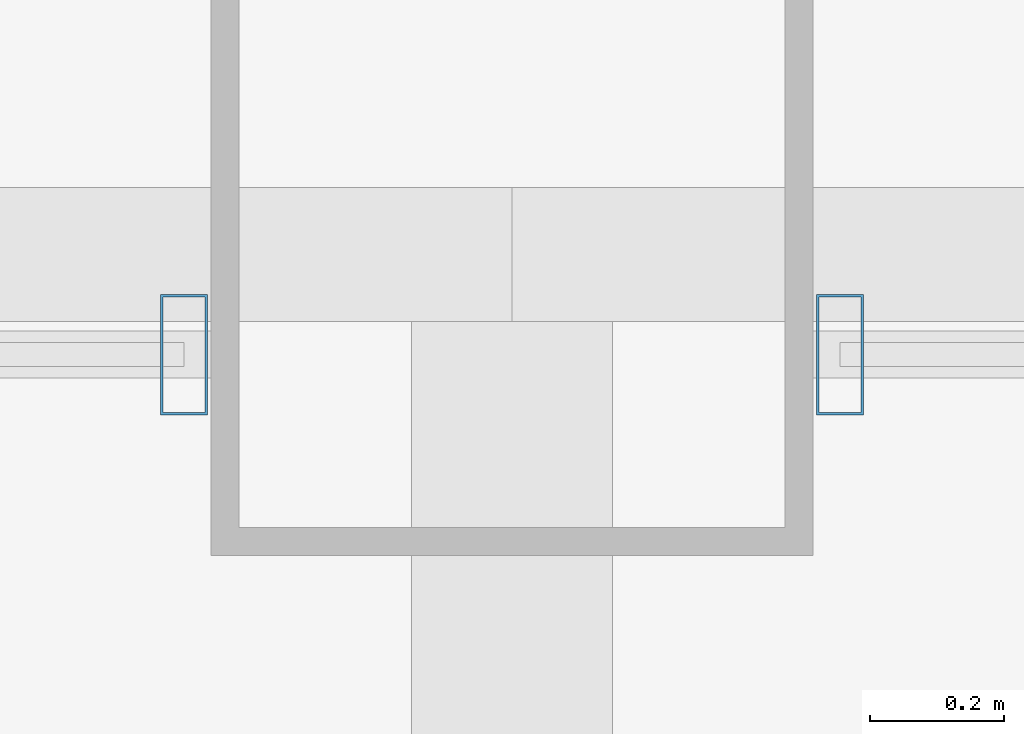
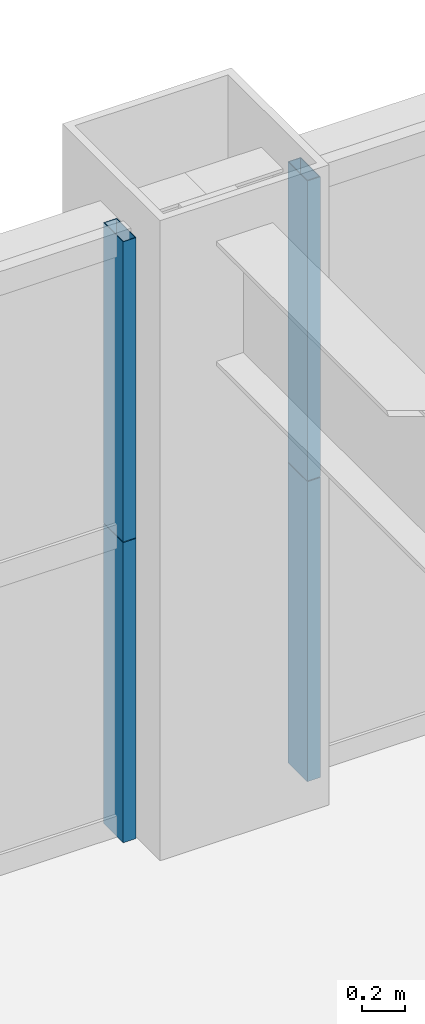
# One storey, part 27 of 39: 4 members, 2 elements without a shape of their own.
"""IFC4 building model written with IfcOpenShell, lengths in metres."""

from ifc_helpers import new_model, si_unit, direction, frame, origin, origin_2d, place, context, subcontext, project, spatial, hollow_rectangle, extrude, source, transform, mapped, material, layer, layer_set, material_profile, profile_set, type_object, element, aggregate, save


model = new_model("IFC4")

# Units and contexts
model_context = context("Model", 3, precision=1e-05, world=origin(), true_north=direction((0.0, 1.0)))
body_context = subcontext(model_context, "Body", "Model", "MODEL_VIEW")
ifc_project = project(units=[si_unit("LENGTHUNIT", "METRE"), si_unit("AREAUNIT", "SQUARE_METRE"), si_unit("VOLUMEUNIT", "CUBIC_METRE"), si_unit("PLANEANGLEUNIT", "RADIAN"), si_unit("MASSUNIT", "GRAM", prefix="KILO"), si_unit("THERMODYNAMICTEMPERATUREUNIT", "KELVIN"), si_unit("POWERUNIT", "WATT")], contexts=[model_context])

# Site, building, storey
site_placement = place(None, origin())
site = spatial("IfcSite", under=ifc_project, at=site_placement, CompositionType="ELEMENT")
building_placement = place(site_placement, origin())
building = spatial("IfcBuilding", under=site, at=building_placement, Name="Yuzanri Waterfront Tower", CompositionType="ELEMENT")
storey_placement = place(building_placement, frame((0.0, 0.0, 134.39990234375)))
storey = spatial("IfcBuildingStorey", under=building, at=storey_placement, Name="L35", CompositionType="ELEMENT", Elevation=134.39990234375)

# Curtain wall, members
ifc_material_1 = material(Name="Anodized Architectural Bronze", Category="metal")
ifc_layer = layer(ifc_material_1, 0.159912109375)
ifc_layer_set = layer_set([ifc_layer], Name="Anodized Architectural Bronze")
curtain_wall_type = type_object("IfcCurtainWallType", Name="Anodized Bronze Hotel Upper-Tier Solar-Control Unitized Curtain Wall 7800", PredefinedType="NOTDEFINED", material=ifc_layer_set)
curtain_wall_1_placement = place(storey_placement, origin())
curtain_wall_1 = element("IfcCurtainWall", 1, at=curtain_wall_1_placement, inside=storey, type_object=curtain_wall_type, Name="L35 Curtain Wall CW-L35-NL", PredefinedType="NOTDEFINED")
ifc_material_2 = material(Name="Anodized Architectural Bronze", Category="metal")
ifc_material_profile = material_profile(ifc_material_2, hollow_rectangle(XDim=0.070068359375, YDim=0.179931640625, WallThickness=0.00390625, at=origin_2d()), Name="CWM 70x180")
ifc_profile_set = profile_set([ifc_material_profile], Name="Anodized Architectural Bronze")
member_type = type_object("IfcMemberType", Name="Anodized Bronze Standard Curtain-Wall Mullion 70x180", PredefinedType="MULLION", material=ifc_profile_set)
shared_shape = source(origin(), body_context, "Body", "SweptSolid", [
    extrude(hollow_rectangle(XDim=0.070068359375, YDim=0.179931640625, WallThickness=0.00390625, at=origin_2d()), origin(), (0.0, 0.0, 1.0), 1.68798828125),
])
member_1_placement = place(storey_placement, frame((36.510009765625, 49.25, 0.0), z_axis=(0.0, 0.0, 1.0), x_axis=(1.0, 0.0, 0.0)))
member_1 = element("IfcMember", 2, at=member_1_placement, type_object=member_type, Name="CW-L35-NL Lower Mullion 02", PredefinedType="MULLION", context=body_context, shape_type="MappedRepresentation", body=[
    mapped(shared_shape, transform((0.0, 0.0, 0.0), scale=1.0)),
])
member_2_placement = place(storey_placement, frame((36.510009765625, 49.25, 1.692138671875), z_axis=(0.0, 0.0, 1.0), x_axis=(1.0, 0.0, 0.0)))
member_2 = element("IfcMember", 3, at=member_2_placement, type_object=member_type, Name="CW-L35-NL Upper Mullion 02", PredefinedType="MULLION", context=body_context, shape_type="MappedRepresentation", body=[
    mapped(shared_shape, transform((0.0, 0.0, 0.0), scale=1.0)),
])
aggregate(curtain_wall_1, [member_1, member_2])

curtain_wall_2_placement = place(storey_placement, origin())
curtain_wall_2 = element("IfcCurtainWall", 4, at=curtain_wall_2_placement, inside=storey, type_object=curtain_wall_type, Name="L35 Curtain Wall CW-L35-NR", PredefinedType="NOTDEFINED")
member_3_placement = place(storey_placement, frame((37.489990234375, 49.25, 0.0), z_axis=(0.0, 0.0, 1.0), x_axis=(1.0, 0.0, 0.0)))
member_3 = element("IfcMember", 5, at=member_3_placement, type_object=member_type, Name="CW-L35-NR Lower Mullion 00", PredefinedType="MULLION", context=body_context, shape_type="MappedRepresentation", body=[
    mapped(shared_shape, transform((0.0, 0.0, 0.0), scale=1.0)),
])
member_4_placement = place(storey_placement, frame((37.489990234375, 49.25, 1.692138671875), z_axis=(0.0, 0.0, 1.0), x_axis=(1.0, 0.0, 0.0)))
member_4 = element("IfcMember", 6, at=member_4_placement, type_object=member_type, Name="CW-L35-NR Upper Mullion 00", PredefinedType="MULLION", context=body_context, shape_type="MappedRepresentation", body=[
    mapped(shared_shape, transform((0.0, 0.0, 0.0), scale=1.0)),
])
aggregate(curtain_wall_2, [member_3, member_4])

save(model, "model.ifc")
